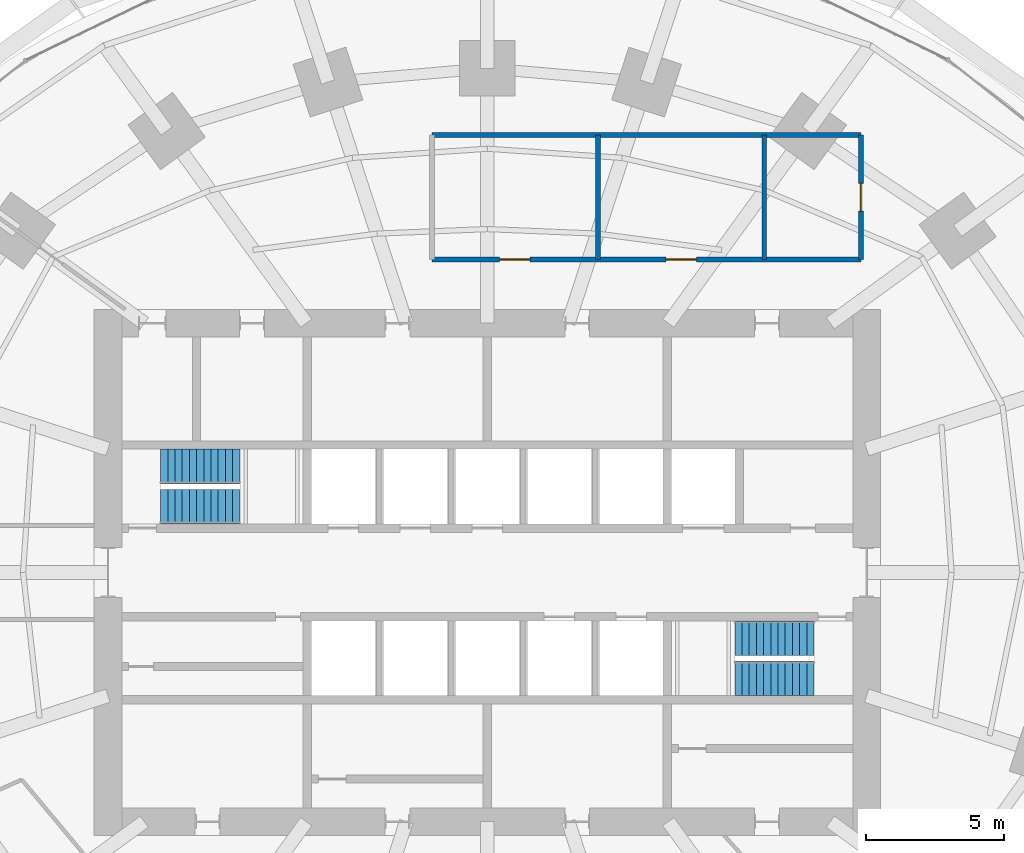
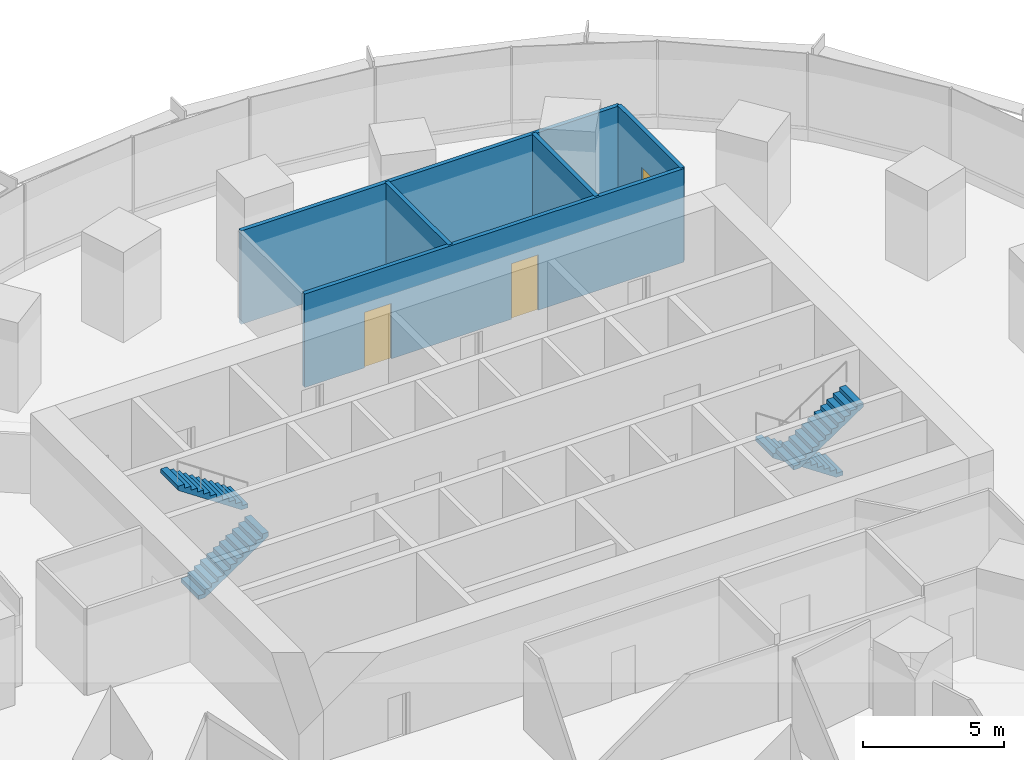
# One storey, part 13 of 15: 5 walls, 4 stair flights, 3 doors, 3 openings, 2 elements without a shape of their own.
"""IFC4 building model written with IfcOpenShell, lengths in metres."""

from ifc_helpers import new_model, si_unit, direction, frame, frame_2d, origin, place, context, subcontext, project, spatial, polyline, rectangle, outline, extrude, material, layer, layer_set, type_object, element, fill, aggregate, save


model = new_model("IFC4")

# Units and contexts
model_context = context("Model", 3, precision=1e-05, world=origin(), true_north=direction((0.0, 1.0)))
body_context = subcontext(model_context, "Body", "Model", "MODEL_VIEW")
ifc_project = project(units=[si_unit("LENGTHUNIT", "METRE"), si_unit("AREAUNIT", "SQUARE_METRE"), si_unit("VOLUMEUNIT", "CUBIC_METRE"), si_unit("PLANEANGLEUNIT", "RADIAN"), si_unit("MASSUNIT", "GRAM", prefix="KILO")], contexts=[model_context])

# Site, building, storey
site_placement = place(None, origin())
site = spatial("IfcSite", under=ifc_project, at=site_placement, CompositionType="ELEMENT")
building_placement = place(site_placement, origin())
building = spatial("IfcBuilding", under=site, at=building_placement, Name="Marramba Exchange Tower", CompositionType="ELEMENT")
storey_placement = place(building_placement, frame((0.0, 0.0, 57.39990234375)))
storey = spatial("IfcBuildingStorey", under=building, at=storey_placement, Name="L13", CompositionType="ELEMENT", Elevation=57.39990234375)

# Wall, opening, door
ifc_material_1 = material(Name="Plasterboard on staggered double steel studs, acoustic insulation", Category="steel")
ifc_layer = layer(ifc_material_1, 0.169921875)
ifc_layer_set = layer_set([ifc_layer], Name="Acoustic partition 170")
wall_type = type_object("IfcWallType", Name="Acoustic partition 170", PredefinedType="PARTITIONING", material=ifc_layer_set)
wall_1_placement = place(storey_placement, frame((13.5, 15.800048828125, 0.0), z_axis=(0.0, 0.0, 1.0), x_axis=(0.0, -1.0, 0.0)))
wall_1 = element("IfcWall", 1, at=wall_1_placement, inside=storey, type_object=wall_type, Name="Acoustic partition L13 24", PredefinedType="PARTITIONING", context=body_context, shape_type="SweptSolid", body=[
    extrude(rectangle(XDim=4.5, YDim=0.169921875, at=frame_2d((2.25, 0.0))), origin(), (0.0, 0.0, 1.0), 4.0400390625),
])
opening_1_placement = place(wall_1_placement, frame((1.75, 0.0, 0.0)))
opening_1 = element("IfcOpeningElement", 2, at=opening_1_placement, cuts=wall_1, Name="Opening D9", PredefinedType="OPENING", context=body_context, shape_type="SweptSolid", body=[
    extrude(rectangle(XDim=1.0, YDim=2.39990234375, at=frame_2d((0.5, 1.199951171875))), frame((0.0, 0.094970703125, 0.0), z_axis=(0.0, -1.0, 0.0), x_axis=(1.0, 0.0, 0.0)), (0.0, 0.0, 1.0), 0.18994140625),
])
ifc_material_2 = material(Name="Timber door", Category="wood")
door_type_1 = type_object("IfcDoorType", Name="Room door 1000x2400", OperationType="SINGLE_SWING_LEFT", PredefinedType="DOOR", material=ifc_material_2)
door_1_placement = place(opening_1_placement, frame((1.0, 0.0, 0.0), z_axis=(0.0, 0.0, 1.0), x_axis=(-1.0, 0.0, 0.0)))
door_1 = element("IfcDoor", 3, at=door_1_placement, inside=storey, type_object=door_type_1, Name="D9 Interview Room L13", OperationType="SINGLE_SWING_RIGHT", OverallHeight=2.39990234375, OverallWidth=1.0, PredefinedType="DOOR", context=body_context, shape_type="SweptSolid", body=[
    extrude(rectangle(XDim=1.0, YDim=2.39990234375, at=frame_2d((0.5, 1.199951171875))), frame((0.0, 0.025146484375, 0.0), z_axis=(0.0, -1.0, 0.0), x_axis=(1.0, 0.0, 0.0)), (0.0, 0.0, 1.0), 0.050048828125),
])
fill(opening_1, door_1)

# Wall
wall_2_placement = place(storey_placement, frame((10.0, 15.800048828125, 0.0), z_axis=(0.0, 0.0, 1.0), x_axis=(0.0, -1.0, 0.0)))
element("IfcWall", 4, at=wall_2_placement, inside=storey, type_object=wall_type, Name="Acoustic partition L13 25", PredefinedType="PARTITIONING", context=body_context, shape_type="SweptSolid", body=[
    extrude(rectangle(XDim=4.5, YDim=0.169921875, at=frame_2d((2.25, 0.0))), origin(), (0.0, 0.0, 1.0), 4.0400390625),
])

# Wall, openings, doors
wall_3_placement = place(storey_placement, frame((13.5, 11.300048828125, 0.0), z_axis=(0.0, 0.0, 1.0), x_axis=(-1.0, 0.0, 0.0)))
wall_3 = element("IfcWall", 5, at=wall_3_placement, inside=storey, type_object=wall_type, Name="Acoustic partition L13 26", PredefinedType="PARTITIONING", context=body_context, shape_type="SweptSolid", body=[
    extrude(rectangle(XDim=15.5, YDim=0.169921875, at=frame_2d((7.75, 0.0))), origin(), (0.0, 0.0, 1.0), 4.0400390625),
])
opening_2_placement = place(wall_3_placement, frame((11.949951171875, 0.0, 0.0)))
opening_2 = element("IfcOpeningElement", 6, at=opening_2_placement, cuts=wall_3, Name="Opening D15", PredefinedType="OPENING", context=body_context, shape_type="SweptSolid", body=[
    extrude(rectangle(XDim=1.10009765625, YDim=2.39990234375, at=frame_2d((0.550048828125, 1.199951171875))), frame((0.0, 0.094970703125, 0.0), z_axis=(0.0, -1.0, 0.0), x_axis=(1.0, 0.0, 0.0)), (0.0, 0.0, 1.0), 0.18994140625),
])
opening_3_placement = place(wall_3_placement, frame((5.949951171875, 0.0, 0.0)))
opening_3 = element("IfcOpeningElement", 7, at=opening_3_placement, cuts=wall_3, Name="Opening D15", PredefinedType="OPENING", context=body_context, shape_type="SweptSolid", body=[
    extrude(rectangle(XDim=1.10009765625, YDim=2.39990234375, at=frame_2d((0.550048828125, 1.199951171875))), frame((0.0, 0.094970703125, 0.0), z_axis=(0.0, -1.0, 0.0), x_axis=(1.0, 0.0, 0.0)), (0.0, 0.0, 1.0), 0.18994140625),
])
door_type_2 = type_object("IfcDoorType", Name="Glazed meeting room door 1100x2400", OperationType="SINGLE_SWING_LEFT", PredefinedType="DOOR", material=ifc_material_2)
door_2_placement = place(opening_2_placement, frame((1.10009765625, 0.0, 0.0), z_axis=(0.0, 0.0, 1.0), x_axis=(-1.0, 0.0, 0.0)))
door_2 = element("IfcDoor", 8, at=door_2_placement, inside=storey, type_object=door_type_2, Name="D15 Meeting Room 1 L13", OperationType="SINGLE_SWING_RIGHT", OverallHeight=2.39990234375, OverallWidth=1.10009765625, PredefinedType="DOOR", context=body_context, shape_type="SweptSolid", body=[
    extrude(rectangle(XDim=1.10009765625, YDim=2.39990234375, at=frame_2d((0.550048828125, 1.199951171875))), frame((0.0, 0.025146484375, 0.0), z_axis=(0.0, -1.0, 0.0), x_axis=(1.0, 0.0, 0.0)), (0.0, 0.0, 1.0), 0.050048828125),
])
fill(opening_2, door_2)
door_3_placement = place(opening_3_placement, frame((1.10009765625, 0.0, 0.0), z_axis=(0.0, 0.0, 1.0), x_axis=(-1.0, 0.0, 0.0)))
door_3 = element("IfcDoor", 9, at=door_3_placement, inside=storey, type_object=door_type_2, Name="D15 Meeting Room 2 L13", OperationType="SINGLE_SWING_RIGHT", OverallHeight=2.39990234375, OverallWidth=1.10009765625, PredefinedType="DOOR", context=body_context, shape_type="SweptSolid", body=[
    extrude(rectangle(XDim=1.10009765625, YDim=2.39990234375, at=frame_2d((0.550048828125, 1.199951171875))), frame((0.0, 0.025146484375, 0.0), z_axis=(0.0, -1.0, 0.0), x_axis=(1.0, 0.0, 0.0)), (0.0, 0.0, 1.0), 0.050048828125),
])
fill(opening_3, door_3)

# Walls
wall_4_placement = place(storey_placement, frame((-2.0, 15.800048828125, 0.0), z_axis=(0.0, 0.0, 1.0), x_axis=(1.0, 0.0, 0.0)))
element("IfcWall", 10, at=wall_4_placement, inside=storey, type_object=wall_type, Name="Acoustic partition L13 27", PredefinedType="PARTITIONING", context=body_context, shape_type="SweptSolid", body=[
    extrude(rectangle(XDim=15.5, YDim=0.169921875, at=frame_2d((7.75, 0.0))), origin(), (0.0, 0.0, 1.0), 4.0400390625),
])
wall_5_placement = place(storey_placement, frame((4.0, 15.800048828125, 0.0), z_axis=(0.0, 0.0, 1.0), x_axis=(0.0, -1.0, 0.0)))
element("IfcWall", 11, at=wall_5_placement, inside=storey, type_object=wall_type, Name="Acoustic partition L13 28", PredefinedType="PARTITIONING", context=body_context, shape_type="SweptSolid", body=[
    extrude(rectangle(XDim=4.5, YDim=0.169921875, at=frame_2d((2.25, 0.0))), origin(), (0.0, 0.0, 1.0), 4.0400390625),
])

# Stair, stair flights
ifc_material_3 = material(Name="Concrete N40 (40 MPa)", Category="concrete")
stair_type_1 = type_object("IfcStairType", Name="Exit stair ST1 4200 x 1250", PredefinedType="HALF_TURN_STAIR", material=ifc_material_3)
stair_1_placement = place(storey_placement, origin())
stair_1 = element("IfcStair", 12, at=stair_1_placement, inside=storey, type_object=stair_type_1, Name="Exit stair ST1 L13", PredefinedType="HALF_TURN_STAIR")
stair_flight_type_1 = type_object("IfcStairFlightType", Name="ST1 stair flight 1750 riser 1250 wide", PredefinedType="STRAIGHT", material=ifc_material_3)
stair_flight_1_placement = place(storey_placement, frame((-11.800048828125, 2.375, 0.0), z_axis=(0.0, 0.0, 1.0), x_axis=(1.0, 0.0, 0.0)))
stair_flight_1 = element("IfcStairFlight", 13, at=stair_flight_1_placement, type_object=stair_flight_type_1, Name="ST1 flight 1", NumberOfRisers=12, NumberOfTreads=11, PredefinedType="STRAIGHT", RiserHeight=0.175, TreadLength=0.26, context=body_context, shape_type="SweptSolid", body=[
    extrude(outline(polyline([(0.0, 0.0), (0.0, 0.175048828125), (0.260009765625, 0.175048828125), (0.260009765625, 0.35009765625), (0.52001953125, 0.35009765625), (0.52001953125, 0.52490234375), (0.780029296875, 0.52490234375), (0.780029296875, 0.699951171875), (1.0400390625, 0.699951171875), (1.0400390625, 0.875), (1.300048828125, 0.875), (1.300048828125, 1.050048828125), (1.56005859375, 1.050048828125), (1.56005859375, 1.22509765625), (1.820068359375, 1.22509765625), (1.820068359375, 1.39990234375), (2.080078125, 1.39990234375), (2.080078125, 1.574951171875), (2.340087890625, 1.574951171875), (2.340087890625, 1.75), (2.60009765625, 1.75), (2.60009765625, 1.925048828125), (2.860107421875, 1.925048828125), (2.860107421875, 2.10009765625), (2.860107421875, 1.744384765625), (0.2685546875, 0.0), (0.0, 0.0)])), frame((0.0, 0.625, 0.0), z_axis=(0.0, -1.0, 0.0), x_axis=(1.0, 0.0, 0.0)), (0.0, 0.0, 1.0), 1.25),
])
stair_flight_2_placement = place(storey_placement, frame((-8.93994140625, 3.824951171875, 2.10009765625), z_axis=(0.0, 0.0, 1.0), x_axis=(-1.0, 0.0, 0.0)))
stair_flight_2 = element("IfcStairFlight", 14, at=stair_flight_2_placement, type_object=stair_flight_type_1, Name="ST1 flight 2", NumberOfRisers=12, NumberOfTreads=11, PredefinedType="STRAIGHT", RiserHeight=0.175, TreadLength=0.26, context=body_context, shape_type="SweptSolid", body=[
    extrude(outline(polyline([(0.0, 0.0), (0.0, 0.175048828125), (0.260009765625, 0.175048828125), (0.260009765625, 0.35009765625), (0.52001953125, 0.35009765625), (0.52001953125, 0.52490234375), (0.780029296875, 0.52490234375), (0.780029296875, 0.699951171875), (1.0400390625, 0.699951171875), (1.0400390625, 0.875), (1.300048828125, 0.875), (1.300048828125, 1.050048828125), (1.56005859375, 1.050048828125), (1.56005859375, 1.22509765625), (1.820068359375, 1.22509765625), (1.820068359375, 1.39990234375), (2.080078125, 1.39990234375), (2.080078125, 1.574951171875), (2.340087890625, 1.574951171875), (2.340087890625, 1.75), (2.60009765625, 1.75), (2.60009765625, 1.925048828125), (2.860107421875, 1.925048828125), (2.860107421875, 2.10009765625), (2.860107421875, 1.744384765625), (0.2685546875, 0.0), (0.0, 0.0)])), frame((0.0, 0.625, 0.0), z_axis=(0.0, -1.0, 0.0), x_axis=(1.0, 0.0, 0.0)), (0.0, 0.0, 1.0), 1.25),
])
aggregate(stair_1, [stair_flight_1, stair_flight_2])

stair_type_2 = type_object("IfcStairType", Name="Exit stair ST2 4200 x 1250", PredefinedType="HALF_TURN_STAIR", material=ifc_material_3)
stair_2_placement = place(storey_placement, origin())
stair_2 = element("IfcStair", 15, at=stair_2_placement, inside=storey, type_object=stair_type_2, Name="Exit stair ST2 L13", PredefinedType="HALF_TURN_STAIR")
stair_flight_type_2 = type_object("IfcStairFlightType", Name="ST2 stair flight 1750 riser 1250 wide", PredefinedType="STRAIGHT", material=ifc_material_3)
stair_flight_3_placement = place(storey_placement, frame((11.800048828125, -2.375, 0.0), z_axis=(0.0, 0.0, 1.0), x_axis=(-1.0, 0.0, 0.0)))
stair_flight_3 = element("IfcStairFlight", 16, at=stair_flight_3_placement, type_object=stair_flight_type_2, Name="ST2 flight 1", NumberOfRisers=12, NumberOfTreads=11, PredefinedType="STRAIGHT", RiserHeight=0.175, TreadLength=0.26, context=body_context, shape_type="SweptSolid", body=[
    extrude(outline(polyline([(0.0, 0.0), (0.0, 0.175048828125), (0.260009765625, 0.175048828125), (0.260009765625, 0.35009765625), (0.52001953125, 0.35009765625), (0.52001953125, 0.52490234375), (0.780029296875, 0.52490234375), (0.780029296875, 0.699951171875), (1.0400390625, 0.699951171875), (1.0400390625, 0.875), (1.300048828125, 0.875), (1.300048828125, 1.050048828125), (1.56005859375, 1.050048828125), (1.56005859375, 1.22509765625), (1.820068359375, 1.22509765625), (1.820068359375, 1.39990234375), (2.080078125, 1.39990234375), (2.080078125, 1.574951171875), (2.340087890625, 1.574951171875), (2.340087890625, 1.75), (2.60009765625, 1.75), (2.60009765625, 1.925048828125), (2.860107421875, 1.925048828125), (2.860107421875, 2.10009765625), (2.860107421875, 1.744384765625), (0.2685546875, 0.0), (0.0, 0.0)])), frame((0.0, 0.625, 0.0), z_axis=(0.0, -1.0, 0.0), x_axis=(1.0, 0.0, 0.0)), (0.0, 0.0, 1.0), 1.25),
])
stair_flight_4_placement = place(storey_placement, frame((8.93994140625, -3.824951171875, 2.10009765625), z_axis=(0.0, 0.0, 1.0), x_axis=(1.0, 0.0, 0.0)))
stair_flight_4 = element("IfcStairFlight", 17, at=stair_flight_4_placement, type_object=stair_flight_type_2, Name="ST2 flight 2", NumberOfRisers=12, NumberOfTreads=11, PredefinedType="STRAIGHT", RiserHeight=0.175, TreadLength=0.26, context=body_context, shape_type="SweptSolid", body=[
    extrude(outline(polyline([(0.0, 0.0), (0.0, 0.175048828125), (0.260009765625, 0.175048828125), (0.260009765625, 0.35009765625), (0.52001953125, 0.35009765625), (0.52001953125, 0.52490234375), (0.780029296875, 0.52490234375), (0.780029296875, 0.699951171875), (1.0400390625, 0.699951171875), (1.0400390625, 0.875), (1.300048828125, 0.875), (1.300048828125, 1.050048828125), (1.56005859375, 1.050048828125), (1.56005859375, 1.22509765625), (1.820068359375, 1.22509765625), (1.820068359375, 1.39990234375), (2.080078125, 1.39990234375), (2.080078125, 1.574951171875), (2.340087890625, 1.574951171875), (2.340087890625, 1.75), (2.60009765625, 1.75), (2.60009765625, 1.925048828125), (2.860107421875, 1.925048828125), (2.860107421875, 2.10009765625), (2.860107421875, 1.744384765625), (0.2685546875, 0.0), (0.0, 0.0)])), frame((0.0, 0.625, 0.0), z_axis=(0.0, -1.0, 0.0), x_axis=(1.0, 0.0, 0.0)), (0.0, 0.0, 1.0), 1.25),
])
aggregate(stair_2, [stair_flight_3, stair_flight_4])

save(model, "model.ifc")
